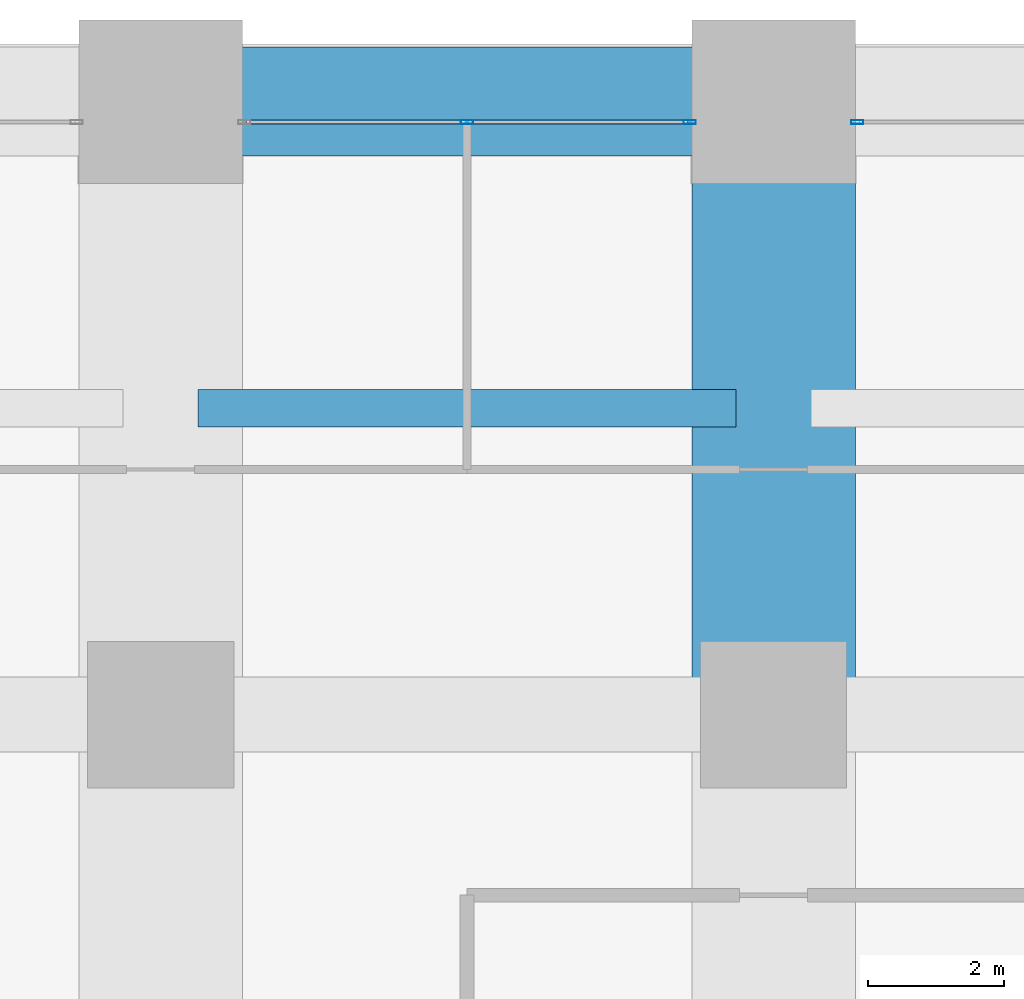
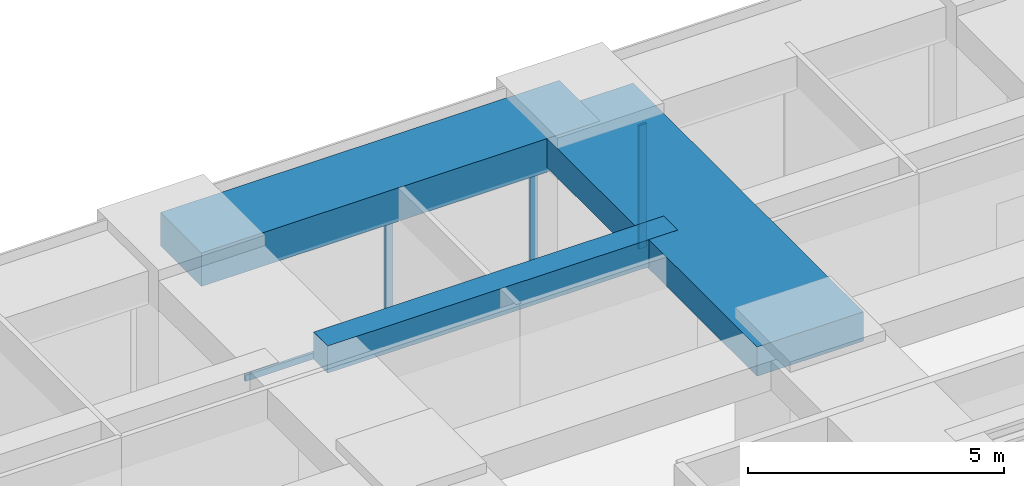
# One storey, part 34 of 45: 4 members, 3 beams, 2 elements without a shape of their own.
"""IFC4 building model written with IfcOpenShell, lengths in metres."""

from ifc_helpers import new_model, si_unit, direction, frame, origin, origin_2d, place, context, subcontext, project, spatial, rectangle, hollow_rectangle, extrude, material, material_profile, profile_set, type_object, element, aggregate, save


model = new_model("IFC4")

# Units and contexts
model_context = context("Model", 3, precision=1e-05, world=origin(), true_north=direction((0.0, 1.0)))
body_context = subcontext(model_context, "Body", "Model", "MODEL_VIEW")
ifc_project = project(units=[si_unit("LENGTHUNIT", "METRE"), si_unit("AREAUNIT", "SQUARE_METRE"), si_unit("VOLUMEUNIT", "CUBIC_METRE"), si_unit("PLANEANGLEUNIT", "RADIAN"), si_unit("MASSUNIT", "GRAM", prefix="KILO")], contexts=[model_context])

# Site, building, storey
site_placement = place(None, origin())
site = spatial("IfcSite", under=ifc_project, at=site_placement, CompositionType="ELEMENT")
building_placement = place(site_placement, origin())
building = spatial("IfcBuilding", under=site, at=building_placement, Name="Zorevar Civic Tower", CompositionType="ELEMENT")
storey_placement = place(building_placement, frame((0.0, 0.0, 71.800048828125)))
storey = spatial("IfcBuildingStorey", under=building, at=storey_placement, Name="L17", CompositionType="ELEMENT", Elevation=71.800048828125)

# Beams
ifc_material_1 = material(Name="Concrete C50/60", Category="concrete")
ifc_material_profile_1 = material_profile(ifc_material_1, rectangle(XDim=2.39990234375, YDim=0.699951171875, at=origin_2d()), Name="RC 2400x700")
ifc_profile_set_1 = profile_set([ifc_material_profile_1], Name="Concrete C50/60")
beam_type_1 = type_object("IfcBeamType", Name="Beam RC 2400x700", PredefinedType="BEAM", material=ifc_profile_set_1)
beam_1_placement = place(storey_placement, frame((36.0, 45.0, 3.39990234375), z_axis=(0.0, 1.0, 0.0), x_axis=(-1.0, 0.0, 0.0)))
element("IfcBeam", 1, at=beam_1_placement, inside=storey, type_object=beam_type_1, Name="Girder L18", PredefinedType="BEAM", context=body_context, shape_type="SweptSolid", body=[
    extrude(rectangle(XDim=2.39990234375, YDim=0.699951171875, at=origin_2d()), origin(), (0.0, 0.0, 1.0), 9.0),
])
ifc_material_2 = material(Name="Concrete C50/60", Category="concrete")
ifc_material_profile_2 = material_profile(ifc_material_2, rectangle(XDim=0.550048828125, YDim=0.64990234375, at=origin_2d()), Name="RC 550x650")
ifc_profile_set_2 = profile_set([ifc_material_profile_2], Name="Concrete C50/60")
beam_type_2 = type_object("IfcBeamType", Name="Beam RC 550x650", PredefinedType="BEAM", material=ifc_profile_set_2)
beam_2_placement = place(storey_placement, frame((27.550048828125, 49.5, 3.425048828125), z_axis=(1.0, 0.0, 0.0), x_axis=(0.0, 1.0, 0.0)))
element("IfcBeam", 2, at=beam_2_placement, inside=storey, type_object=beam_type_2, Name="Secondary beam L18", PredefinedType="BEAM", context=body_context, shape_type="SweptSolid", body=[
    extrude(rectangle(XDim=0.550048828125, YDim=0.64990234375, at=origin_2d()), origin(), (0.0, 0.0, 1.0), 7.89990234375),
])

# Curtain wall, members
ifc_material_3 = material(Name="Dark grey solar-control glass in black aluminium frame", Category="aluminium")
curtain_wall_type = type_object("IfcCurtainWallType", Name="Curtain wall CW2 low zone", PredefinedType="NOTDEFINED", material=ifc_material_3)
curtain_wall_1_placement = place(storey_placement, origin())
curtain_wall_1 = element("IfcCurtainWall", 3, at=curtain_wall_1_placement, inside=storey, type_object=curtain_wall_type, Name="CW2 L17", PredefinedType="NOTDEFINED")
ifc_material_4 = material(Name="Aluminium, black anodised", Category="aluminium")
ifc_material_profile_3 = material_profile(ifc_material_4, hollow_rectangle(XDim=0.06005859375, YDim=0.179931640625, WallThickness=0.00390625, at=origin_2d()), Name="AL 180x60x4")
ifc_profile_set_3 = profile_set([ifc_material_profile_3], Name="Aluminium, black anodised")
member_type_1 = type_object("IfcMemberType", Name="CW2 mullion AL 180x60x4", PredefinedType="MULLION", material=ifc_profile_set_3)
member_1_placement = place(storey_placement, frame((31.5, 53.699951171875, 0.06005859375), z_axis=(0.0, 0.0, 1.0), x_axis=(0.0, 1.0, 0.0)))
member_1 = element("IfcMember", 4, at=member_1_placement, type_object=member_type_1, Name="CW2 mullion 2", PredefinedType="MULLION", context=body_context, shape_type="SweptSolid", body=[
    extrude(hollow_rectangle(XDim=0.06005859375, YDim=0.179931640625, WallThickness=0.00390625, at=origin_2d()), origin(), (0.0, 0.0, 1.0), 2.889892578125),
])
member_2_placement = place(storey_placement, frame((34.77001953125, 53.699951171875, 0.0), z_axis=(0.0, 0.0, 1.0), x_axis=(0.0, 1.0, 0.0)))
member_2 = element("IfcMember", 5, at=member_2_placement, type_object=member_type_1, Name="CW2 mullion 3", PredefinedType="MULLION", context=body_context, shape_type="SweptSolid", body=[
    extrude(hollow_rectangle(XDim=0.06005859375, YDim=0.179931640625, WallThickness=0.00390625, at=origin_2d()), origin(), (0.0, 0.0, 1.0), 2.949951171875),
])

# Curtain wall, member
curtain_wall_2_placement = place(storey_placement, origin())
curtain_wall_2 = element("IfcCurtainWall", 6, at=curtain_wall_2_placement, inside=storey, type_object=curtain_wall_type, Name="CW2 L17", PredefinedType="NOTDEFINED")
member_3_placement = place(storey_placement, frame((37.22998046875, 53.699951171875, 0.0), z_axis=(0.0, 0.0, 1.0), x_axis=(0.0, 1.0, 0.0)))
member_3 = element("IfcMember", 7, at=member_3_placement, type_object=member_type_1, Name="CW2 mullion 1", PredefinedType="MULLION", context=body_context, shape_type="SweptSolid", body=[
    extrude(hollow_rectangle(XDim=0.06005859375, YDim=0.179931640625, WallThickness=0.00390625, at=origin_2d()), origin(), (0.0, 0.0, 1.0), 2.949951171875),
])
aggregate(curtain_wall_2, [member_3])

# Member
ifc_material_5 = material(Name="Aluminium, black anodised", Category="aluminium")
ifc_material_profile_4 = material_profile(ifc_material_5, hollow_rectangle(XDim=0.06005859375, YDim=0.14990234375, WallThickness=0.00390625, at=origin_2d()), Name="AL 150x60x4")
ifc_profile_set_4 = profile_set([ifc_material_profile_4], Name="Aluminium, black anodised")
member_type_2 = type_object("IfcMemberType", Name="CW2 transom AL 150x60x4", PredefinedType="USERDEFINED", material=ifc_profile_set_4)
member_4_placement = place(storey_placement, frame((28.260009765625, 53.699951171875, 0.030029296875), z_axis=(1.0, 0.0, 0.0), x_axis=(0.0, 1.0, 0.0)))
member_4 = element("IfcMember", 8, at=member_4_placement, type_object=member_type_2, Name="CW2 sill transom", ObjectType="TRANSOM", PredefinedType="USERDEFINED", context=body_context, shape_type="SweptSolid", body=[
    extrude(hollow_rectangle(XDim=0.06005859375, YDim=0.14990234375, WallThickness=0.00390625, at=origin_2d()), origin(), (0.0, 0.0, 1.0), 6.47998046875),
])

aggregate(curtain_wall_1, [member_1, member_2, member_4])

# Beam
ifc_material_6 = material(Name="Concrete C50/60", Category="concrete")
ifc_material_profile_5 = material_profile(ifc_material_6, rectangle(XDim=1.60009765625, YDim=0.800048828125, at=origin_2d()), Name="RC 1600x800")
ifc_profile_set_5 = profile_set([ifc_material_profile_5], Name="Concrete C50/60")
beam_type_3 = type_object("IfcBeamType", Name="Edge beam RC 1600x800", PredefinedType="SPANDREL", material=ifc_profile_set_5)
beam_3_placement = place(storey_placement, frame((27.0, 54.0, 3.349853515625), z_axis=(1.0, 0.0, 0.0), x_axis=(0.0, 1.0, 0.0)))
element("IfcBeam", 9, at=beam_3_placement, inside=storey, type_object=beam_type_3, Name="Edge beam L18", PredefinedType="SPANDREL", context=body_context, shape_type="SweptSolid", body=[
    extrude(rectangle(XDim=1.60009765625, YDim=0.800048828125, at=origin_2d()), origin(), (0.0, 0.0, 1.0), 9.0),
])

save(model, "model.ifc")
